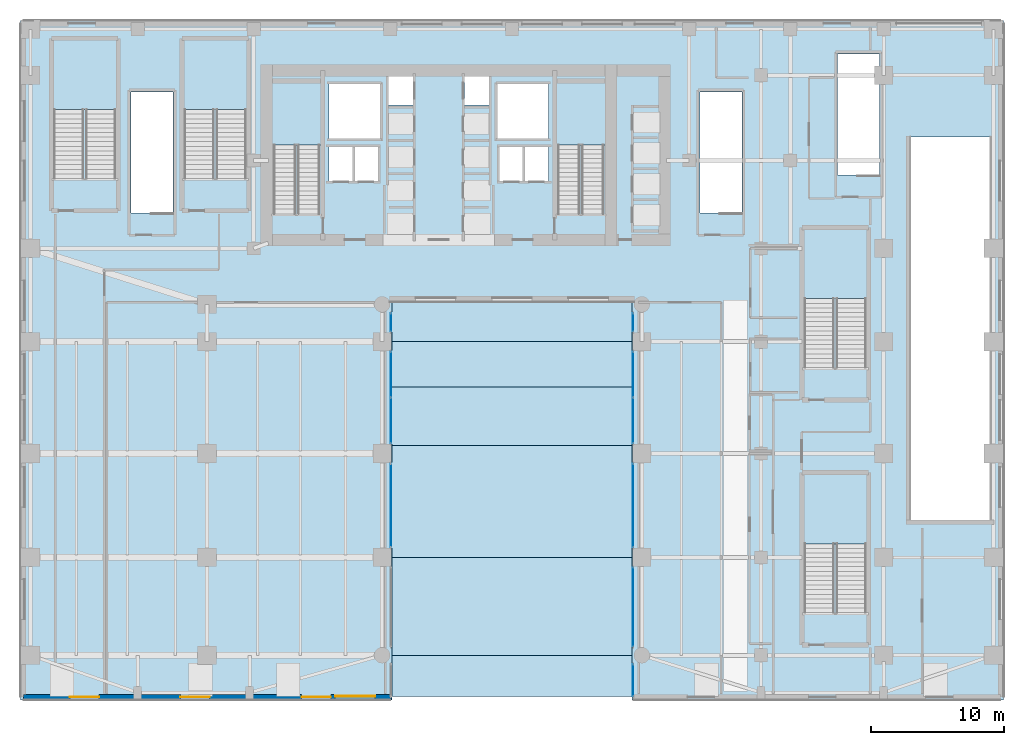
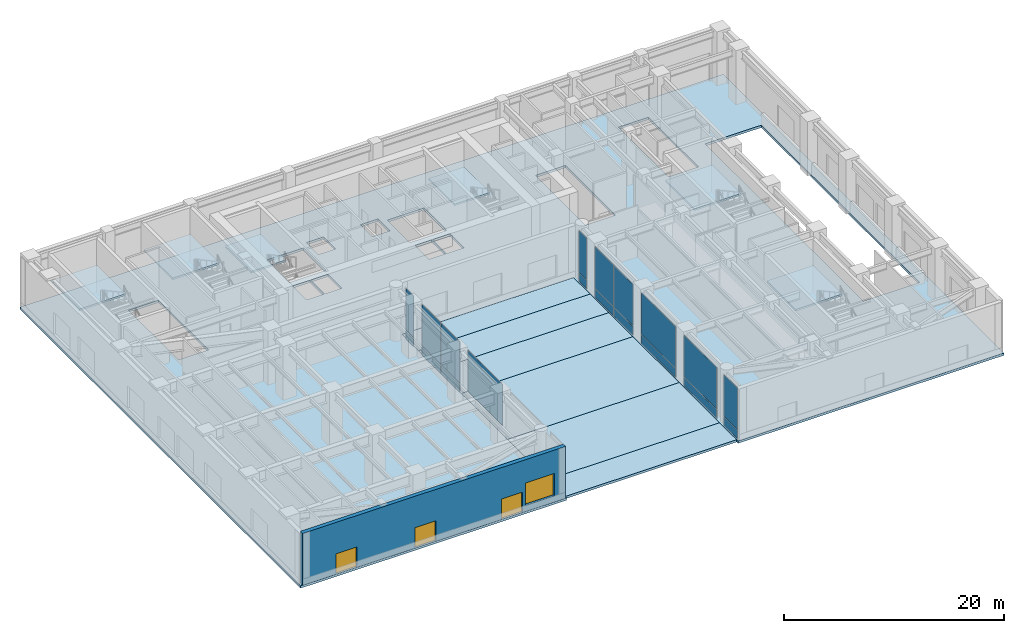
# One storey, part 12 of 28: 19 plates, 13 slabs, 3 doors, 1 wall, 1 window, 4 openings, 14 elements without a shape of their own.
"""IFC4 building model written with IfcOpenShell, lengths in metres."""

from ifc_helpers import new_model, si_unit, direction, frame, frame_2d, origin, origin_2d, place, context, subcontext, project, spatial, polyline, rectangle, outline, extrude, source, transform, mapped, material, layer, layer_set, type_object, type_shapes, element, fill, aggregate, save


model = new_model("IFC4")

# Units and contexts
model_context = context("Model", 3, precision=1e-05, world=origin(), true_north=direction((0.0, 1.0)))
body_context = subcontext(model_context, "Body", "Model", "MODEL_VIEW")
ifc_project = project(units=[si_unit("LENGTHUNIT", "METRE"), si_unit("AREAUNIT", "SQUARE_METRE"), si_unit("VOLUMEUNIT", "CUBIC_METRE"), si_unit("PLANEANGLEUNIT", "RADIAN"), si_unit("MASSUNIT", "GRAM", prefix="KILO")], contexts=[model_context])

# Site, building, storey
site_placement = place(None, origin())
site = spatial("IfcSite", under=ifc_project, at=site_placement, CompositionType="ELEMENT")
building_placement = place(site_placement, origin())
building = spatial("IfcBuilding", under=site, at=building_placement, Name="Tolvann Quenvar Hotel", CompositionType="ELEMENT")
storey_placement = place(building_placement, origin())
storey = spatial("IfcBuildingStorey", under=building, at=storey_placement, Name="L00", CompositionType="ELEMENT", Elevation=0.0)

# Stair, slab
ifc_material_1 = material(Name="Concrete N40 (40 MPa)", Category="concrete")
stair_type = type_object("IfcStairType", Name="STAIR", PredefinedType="HALF_TURN_STAIR", material=ifc_material_1)
stair_1_placement = place(storey_placement, origin())
stair_1 = element("IfcStair", 1, at=stair_1_placement, inside=storey, type_object=stair_type, Name="L00 ST-C1", PredefinedType="HALF_TURN_STAIR")
ifc_layer_1 = layer(ifc_material_1, 0.199951171875)
ifc_layer_set_1 = layer_set([ifc_layer_1], Name="Concrete N40 (40 MPa)")
slab_type_1 = type_object("IfcSlabType", Name="SLAB_LANDING", PredefinedType="LANDING", material=ifc_layer_set_1)
slab_1_placement = place(storey_placement, frame((0.0, 0.0, 2.800048828125)))
slab_1 = element("IfcSlab", 2, at=slab_1_placement, type_object=slab_type_1, Name="ST-C1 landing 1", PredefinedType="LANDING", context=body_context, shape_type="SweptSolid", body=[
    extrude(outline(polyline([(14.179931640625, 39.175048828125), (14.179931640625, 43.8798828125), (10.469970703125, 43.8798828125), (10.469970703125, 39.175048828125), (14.179931640625, 39.175048828125)])), origin(), (0.0, 0.0, 1.0), 0.199951171875),
])
aggregate(stair_1, [slab_1])

stair_2_placement = place(storey_placement, origin())
stair_2 = element("IfcStair", 3, at=stair_2_placement, inside=storey, type_object=stair_type, Name="L00 ST-C2", PredefinedType="HALF_TURN_STAIR")
slab_2_placement = place(storey_placement, frame((0.0, 0.0, 2.800048828125)))
slab_2 = element("IfcSlab", 4, at=slab_2_placement, type_object=slab_type_1, Name="ST-C2 landing 1", PredefinedType="LANDING", context=body_context, shape_type="SweptSolid", body=[
    extrude(outline(polyline([(35.530029296875, 39.175048828125), (35.530029296875, 43.8798828125), (31.820068359375, 43.8798828125), (31.820068359375, 39.175048828125), (35.530029296875, 39.175048828125)])), origin(), (0.0, 0.0, 1.0), 0.199951171875),
])
aggregate(stair_2, [slab_2])

stair_3_placement = place(storey_placement, origin())
stair_3 = element("IfcStair", 5, at=stair_3_placement, inside=storey, type_object=stair_type, Name="L00 ST-P1", PredefinedType="HALF_TURN_STAIR")
slab_3_placement = place(storey_placement, frame((0.0, 0.0, 2.800048828125)))
slab_3 = element("IfcSlab", 6, at=slab_3_placement, type_object=slab_type_1, Name="ST-P1 landing 1", PredefinedType="LANDING", context=body_context, shape_type="SweptSolid", body=[
    extrude(outline(polyline([(-1.1201171875, 41.824951171875), (-1.1201171875, 47.080078125), (-6.030029296875, 47.080078125), (-6.030029296875, 41.824951171875), (-1.1201171875, 41.824951171875)])), origin(), (0.0, 0.0, 1.0), 0.199951171875),
])
aggregate(stair_3, [slab_3])

stair_4_placement = place(storey_placement, origin())
stair_4 = element("IfcStair", 7, at=stair_4_placement, inside=storey, type_object=stair_type, Name="L00 ST-P2", PredefinedType="HALF_TURN_STAIR")
slab_4_placement = place(storey_placement, frame((0.0, 0.0, 2.800048828125)))
slab_4 = element("IfcSlab", 8, at=slab_4_placement, type_object=slab_type_1, Name="ST-P2 landing 1", PredefinedType="LANDING", context=body_context, shape_type="SweptSolid", body=[
    extrude(outline(polyline([(8.679931640625, 41.824951171875), (8.679931640625, 47.080078125), (3.77001953125, 47.080078125), (3.77001953125, 41.824951171875), (8.679931640625, 41.824951171875)])), origin(), (0.0, 0.0, 1.0), 0.199951171875),
])
aggregate(stair_4, [slab_4])

stair_5_placement = place(storey_placement, origin())
stair_5 = element("IfcStair", 9, at=stair_5_placement, inside=storey, type_object=stair_type, Name="L00 ST-P3", PredefinedType="HALF_TURN_STAIR")
slab_5_placement = place(storey_placement, frame((0.0, 0.0, 2.800048828125)))
slab_5 = element("IfcSlab", 10, at=slab_5_placement, type_object=slab_type_1, Name="ST-P3 landing 1", PredefinedType="LANDING", context=body_context, shape_type="SweptSolid", body=[
    extrude(outline(polyline([(55.22998046875, 9.22509765625), (55.22998046875, 14.47998046875), (50.320068359375, 14.47998046875), (50.320068359375, 9.22509765625), (55.22998046875, 9.22509765625)])), origin(), (0.0, 0.0, 1.0), 0.199951171875),
])
aggregate(stair_5, [slab_5])

stair_6_placement = place(storey_placement, origin())
stair_6 = element("IfcStair", 11, at=stair_6_placement, inside=storey, type_object=stair_type, Name="L00 ST-P4", PredefinedType="HALF_TURN_STAIR")
slab_6_placement = place(storey_placement, frame((0.0, 0.0, 2.800048828125)))
slab_6 = element("IfcSlab", 12, at=slab_6_placement, type_object=slab_type_1, Name="ST-P4 landing 1", PredefinedType="LANDING", context=body_context, shape_type="SweptSolid", body=[
    extrude(outline(polyline([(55.22998046875, 27.625), (55.22998046875, 32.8798828125), (50.320068359375, 32.8798828125), (50.320068359375, 27.625), (55.22998046875, 27.625)])), origin(), (0.0, 0.0, 1.0), 0.199951171875),
])
aggregate(stair_6, [slab_6])

# Slabs
ifc_material_2 = material(Name="Exfoliated bluestone granite plaza paving Concrete N40 (40 MPa)", Category="masonry")
ifc_layer_2 = layer(ifc_material_2, 0.260009765625)
ifc_layer_set_2 = layer_set([ifc_layer_2], Name="Exfoliated bluestone granite plaza paving Concrete N40 (40 MPa)")
slab_type_2 = type_object("IfcSlabType", Name="SLAB_PAVE_150", PredefinedType="USERDEFINED", material=ifc_layer_set_2)
slab_7_placement = place(storey_placement, frame((0.0, 0.0, -0.260009765625)))
element("IfcSlab", 13, at=slab_7_placement, inside=storey, type_object=slab_type_2, Name="Public Parabolic Arch Concourse Paving Bay 1", ObjectType="PAVING", PredefinedType="USERDEFINED", context=body_context, shape_type="SweptSolid", body=[
    extrude(outline(polyline([(19.5, -2.25), (37.5, -2.25), (37.5, 0.85009765625), (19.5, 0.85009765625), (19.5, -2.25)])), origin(), (0.0, 0.0, 1.0), 0.260009765625),
])
slab_8_placement = place(storey_placement, frame((0.0, 0.0, -0.260009765625)))
element("IfcSlab", 14, at=slab_8_placement, inside=storey, type_object=slab_type_2, Name="Public Parabolic Arch Concourse Paving Bay 2", ObjectType="PAVING", PredefinedType="USERDEFINED", context=body_context, shape_type="SweptSolid", body=[
    extrude(outline(polyline([(19.5, 0.85009765625), (37.5, 0.85009765625), (37.5, 8.199951171875), (19.5, 8.199951171875), (19.5, 0.85009765625)])), origin(), (0.0, 0.0, 1.0), 0.260009765625),
])
slab_9_placement = place(storey_placement, frame((0.0, 0.0, -0.260009765625)))
element("IfcSlab", 15, at=slab_9_placement, inside=storey, type_object=slab_type_2, Name="Public Parabolic Arch Concourse Paving Bay 3", ObjectType="PAVING", PredefinedType="USERDEFINED", context=body_context, shape_type="SweptSolid", body=[
    extrude(outline(polyline([(19.5, 8.199951171875), (37.5, 8.199951171875), (37.5, 16.60009765625), (19.5, 16.60009765625), (19.5, 8.199951171875)])), origin(), (0.0, 0.0, 1.0), 0.260009765625),
])
slab_10_placement = place(storey_placement, frame((0.0, 0.0, -0.260009765625)))
element("IfcSlab", 16, at=slab_10_placement, inside=storey, type_object=slab_type_2, Name="Public Parabolic Arch Concourse Paving Bay 4", ObjectType="PAVING", PredefinedType="USERDEFINED", context=body_context, shape_type="SweptSolid", body=[
    extrude(outline(polyline([(19.5, 16.60009765625), (37.5, 16.60009765625), (37.5, 21.0), (19.5, 21.0), (19.5, 16.60009765625)])), origin(), (0.0, 0.0, 1.0), 0.260009765625),
])
slab_11_placement = place(storey_placement, frame((0.0, 0.0, -0.260009765625)))
element("IfcSlab", 17, at=slab_11_placement, inside=storey, type_object=slab_type_2, Name="Public Parabolic Arch Concourse Paving Bay 5", ObjectType="PAVING", PredefinedType="USERDEFINED", context=body_context, shape_type="SweptSolid", body=[
    extrude(outline(polyline([(19.5, 21.0), (37.5, 21.0), (37.5, 24.39990234375), (19.5, 24.39990234375), (19.5, 21.0)])), origin(), (0.0, 0.0, 1.0), 0.260009765625),
])
slab_12_placement = place(storey_placement, frame((0.0, 0.0, -0.260009765625)))
element("IfcSlab", 18, at=slab_12_placement, inside=storey, type_object=slab_type_2, Name="Public Parabolic Arch Concourse Paving Bay 6", ObjectType="PAVING", PredefinedType="USERDEFINED", context=body_context, shape_type="SweptSolid", body=[
    extrude(outline(polyline([(19.5, 24.39990234375), (37.5, 24.39990234375), (37.5, 27.39990234375), (19.5, 27.39990234375), (19.5, 24.39990234375)])), origin(), (0.0, 0.0, 1.0), 0.260009765625),
])
ifc_material_3 = material(Name="Concrete N50 (50 MPa)", Category="concrete")
ifc_layer_3 = layer(ifc_material_3, 0.260009765625)
ifc_layer_set_3 = layer_set([ifc_layer_3], Name="Concrete N50 (50 MPa)")
slab_type_3 = type_object("IfcSlabType", Name="SLAB_POD_250", PredefinedType="FLOOR", material=ifc_layer_set_3)
slab_13_placement = place(storey_placement, frame((0.0, 0.0, -0.260009765625)))
element("IfcSlab", 19, at=slab_13_placement, inside=storey, type_object=slab_type_3, Name="Level L00 Structural Floor Slab", PredefinedType="FLOOR", context=body_context, shape_type="SweptSolid", body=[
    extrude(outline(polyline([(-8.39990234375, -2.5), (19.5, -2.5), (19.5, 27.39990234375), (37.5, 27.39990234375), (37.5, -2.5), (65.39990234375, -2.5), (65.39990234375, 48.5), (-8.39990234375, 48.5), (-8.39990234375, -2.5)]), holes=[polyline([(58.449951171875, 11.02490234375), (58.449951171875, 39.77490234375), (64.35009765625, 39.77490234375), (64.35009765625, 11.02490234375), (58.449951171875, 11.02490234375)]), polyline([(52.949951171875, 36.925048828125), (52.949951171875, 46.0), (56.10009765625, 46.0), (56.10009765625, 36.925048828125), (52.949951171875, 36.925048828125)]), polyline([(45.75, 34.074951171875), (42.60009765625, 34.074951171875), (42.60009765625, 43.14990234375), (45.75, 43.14990234375), (45.75, 34.074951171875)]), polyline([(27.39990234375, 43.75), (31.25, 43.75), (31.25, 39.64990234375), (27.39990234375, 39.64990234375), (27.39990234375, 43.75)]), polyline([(29.449951171875, 39.02001953125), (31.25, 39.02001953125), (31.25, 36.47998046875), (29.449951171875, 36.47998046875), (29.449951171875, 39.02001953125)]), polyline([(27.574951171875, 39.02001953125), (29.324951171875, 39.02001953125), (29.324951171875, 36.47998046875), (27.574951171875, 36.47998046875), (27.574951171875, 39.02001953125)]), polyline([(24.929931640625, 44.340087890625), (26.77001953125, 44.340087890625), (26.77001953125, 42.159912109375), (24.929931640625, 42.159912109375), (24.929931640625, 44.340087890625)]), polyline([(19.22998046875, 44.340087890625), (21.070068359375, 44.340087890625), (21.070068359375, 42.159912109375), (19.22998046875, 42.159912109375), (19.22998046875, 44.340087890625)]), polyline([(14.75, 39.64990234375), (14.75, 43.75), (18.60009765625, 43.75), (18.60009765625, 39.64990234375), (14.75, 39.64990234375)]), polyline([(16.675048828125, 39.02001953125), (18.425048828125, 39.02001953125), (18.425048828125, 36.47998046875), (16.675048828125, 36.47998046875), (16.675048828125, 39.02001953125)]), polyline([(14.75, 36.47998046875), (14.75, 39.02001953125), (16.550048828125, 39.02001953125), (16.550048828125, 36.47998046875), (14.75, 36.47998046875)]), polyline([(-0.10009765625, 34.074951171875), (-0.10009765625, 43.14990234375), (3.050048828125, 43.14990234375), (3.050048828125, 34.074951171875), (-0.10009765625, 34.074951171875)])]), origin(), (0.0, 0.0, 1.0), 0.260009765625),
])

# Curtain wall, plates
ifc_material_4 = material(Name="Thermally broken anodised architectural aluminium 6063-T6 and laminated low-E glass", Category="aluminium")
ifc_layer_4 = layer(ifc_material_4, 0.179931640625)
ifc_layer_set_4 = layer_set([ifc_layer_4], Name="Thermally broken anodised architectural aluminium 6063-T6 and laminated low-E glass")
curtain_wall_type = type_object("IfcCurtainWallType", Name="CW_SYS_ARCH_01", PredefinedType="USERDEFINED", material=ifc_layer_set_4)
curtain_wall_1_placement = place(storey_placement, origin())
curtain_wall_1 = element("IfcCurtainWall", 20, at=curtain_wall_1_placement, inside=storey, type_object=curtain_wall_type, Name="Curtain Wall CW-ARCH-01 (CWR-L00-E03-S5)", ObjectType="UNITISED CURTAIN WALL", PredefinedType="USERDEFINED")
ifc_material_5 = material(Name="Low-iron laminated double glazing with solar-control coating", Category="glass")
ifc_layer_5 = layer(ifc_material_5, 0.028076171875)
ifc_layer_set_5 = layer_set([ifc_layer_5], Name="Low-iron laminated double glazing with solar-control coating")
plate_type = type_object("IfcPlateType", Name="CW_PAN_VISION_28", PredefinedType="CURTAIN_PANEL", material=ifc_layer_set_5)
shared_shape_1 = source(origin(), body_context, "Body", "SweptSolid", [
    extrude(rectangle(XDim=2.39599609375, YDim=0.028076171875, at=origin_2d()), origin(), (0.0, 0.0, 1.0), 0.9599609375),
])
plate_1_placement = place(storey_placement, frame((37.590087890625, -1.02197265625, 0.06005859375), z_axis=(0.0, 0.0, 1.0), x_axis=(0.0, -1.0, 0.0)))
plate_1 = element("IfcPlate", 21, at=plate_1_placement, type_object=plate_type, Name="CW-ARCH-01 panel 1.1", PredefinedType="CURTAIN_PANEL", context=body_context, shape_type="MappedRepresentation", body=[
    mapped(shared_shape_1, transform((0.0, 0.0, 0.0), x_axis=(1.0, 0.0, 0.0), y_axis=(0.0, 1.0, 0.0), z_axis=(0.0, 0.0, 1.0), scale=1.0)),
])
shared_shape_2 = source(origin(), body_context, "Body", "SweptSolid", [
    extrude(rectangle(XDim=2.39599609375, YDim=0.028076171875, at=origin_2d()), origin(), (0.0, 0.0, 1.0), 4.60009765625),
])
plate_2_placement = place(storey_placement, frame((37.590087890625, -1.02197265625, 1.079833984375), z_axis=(0.0, 0.0, 1.0), x_axis=(0.0, -1.0, 0.0)))
plate_2 = element("IfcPlate", 22, at=plate_2_placement, type_object=plate_type, Name="CW-ARCH-01 panel 1.2", PredefinedType="CURTAIN_PANEL", context=body_context, shape_type="MappedRepresentation", body=[
    mapped(shared_shape_2, transform((0.0, 0.0, 0.0), x_axis=(1.0, 0.0, 0.0), y_axis=(0.0, 1.0, 0.0), z_axis=(0.0, 0.0, 1.0), scale=1.0)),
])
aggregate(curtain_wall_1, [plate_1, plate_2])

curtain_wall_2_placement = place(storey_placement, origin())
curtain_wall_2 = element("IfcCurtainWall", 23, at=curtain_wall_2_placement, inside=storey, type_object=curtain_wall_type, Name="Curtain Wall CW-ARCH-01 (CWR-L00-E03-S4)", ObjectType="UNITISED CURTAIN WALL", PredefinedType="USERDEFINED")
shared_shape_3 = source(origin(), body_context, "Body", "SweptSolid", [
    extrude(rectangle(XDim=5.902099609375, YDim=0.028076171875, at=origin_2d()), origin(), (0.0, 0.0, 1.0), 0.9599609375),
])
plate_3_placement = place(storey_placement, frame((37.590087890625, 4.47509765625, 0.06005859375), z_axis=(0.0, 0.0, 1.0), x_axis=(0.0, -1.0, 0.0)))
plate_3 = element("IfcPlate", 24, at=plate_3_placement, type_object=plate_type, Name="CW-ARCH-01 panel 1.1", PredefinedType="CURTAIN_PANEL", context=body_context, shape_type="MappedRepresentation", body=[
    mapped(shared_shape_3, transform((0.0, 0.0, 0.0), x_axis=(1.0, 0.0, 0.0), y_axis=(0.0, 1.0, 0.0), z_axis=(0.0, 0.0, 1.0), scale=1.0)),
])
shared_shape_4 = source(origin(), body_context, "Body", "SweptSolid", [
    extrude(rectangle(XDim=5.902099609375, YDim=0.028076171875, at=origin_2d()), origin(), (0.0, 0.0, 1.0), 4.60009765625),
])
plate_4_placement = place(storey_placement, frame((37.590087890625, 4.47509765625, 1.079833984375), z_axis=(0.0, 0.0, 1.0), x_axis=(0.0, -1.0, 0.0)))
plate_4 = element("IfcPlate", 25, at=plate_4_placement, type_object=plate_type, Name="CW-ARCH-01 panel 1.2", PredefinedType="CURTAIN_PANEL", context=body_context, shape_type="MappedRepresentation", body=[
    mapped(shared_shape_4, transform((0.0, 0.0, 0.0), x_axis=(1.0, 0.0, 0.0), y_axis=(0.0, 1.0, 0.0), z_axis=(0.0, 0.0, 1.0), scale=1.0)),
])
aggregate(curtain_wall_2, [plate_3, plate_4])

# Curtain wall, plate
curtain_wall_3_placement = place(storey_placement, origin())
curtain_wall_3 = element("IfcCurtainWall", 26, at=curtain_wall_3_placement, inside=storey, type_object=curtain_wall_type, Name="Curtain Wall CW-ARCH-01 (CWR-L00-E03-S3)", ObjectType="UNITISED CURTAIN WALL", PredefinedType="USERDEFINED")
shared_shape_5 = source(origin(), body_context, "Body", "SweptSolid", [
    extrude(rectangle(XDim=6.251953125, YDim=0.028076171875, at=origin_2d()), origin(), (0.0, 0.0, 1.0), 0.9599609375),
])
plate_5_placement = place(storey_placement, frame((37.590087890625, 12.10009765625, 0.06005859375), z_axis=(0.0, 0.0, 1.0), x_axis=(0.0, -1.0, 0.0)))
plate_5 = element("IfcPlate", 27, at=plate_5_placement, type_object=plate_type, Name="CW-ARCH-01 panel 1.1", PredefinedType="CURTAIN_PANEL", context=body_context, shape_type="MappedRepresentation", body=[
    mapped(shared_shape_5, transform((0.0, 0.0, 0.0), x_axis=(1.0, 0.0, 0.0), y_axis=(0.0, 1.0, 0.0), z_axis=(0.0, 0.0, 1.0), scale=1.0)),
])

curtain_wall_4_placement = place(storey_placement, origin())
curtain_wall_4 = element("IfcCurtainWall", 28, at=curtain_wall_4_placement, inside=storey, type_object=curtain_wall_type, Name="Curtain Wall CW-ARCH-01 (CWR-L00-E01-S3)", ObjectType="UNITISED CURTAIN WALL", PredefinedType="USERDEFINED")
shared_shape_6 = source(origin(), body_context, "Body", "SweptSolid", [
    extrude(rectangle(XDim=6.251953125, YDim=0.028076171875, at=origin_2d()), origin(), (0.0, 0.0, 1.0), 4.60009765625),
])
plate_6_placement = place(storey_placement, frame((19.409912109375, 12.10009765625, 1.079833984375), z_axis=(0.0, 0.0, 1.0), x_axis=(0.0, 1.0, 0.0)))
plate_6 = element("IfcPlate", 29, at=plate_6_placement, type_object=plate_type, Name="CW-ARCH-01 panel 1.2", PredefinedType="CURTAIN_PANEL", context=body_context, shape_type="MappedRepresentation", body=[
    mapped(shared_shape_6, transform((0.0, 0.0, 0.0), x_axis=(1.0, 0.0, 0.0), y_axis=(0.0, 1.0, 0.0), z_axis=(0.0, 0.0, 1.0), scale=1.0)),
])
aggregate(curtain_wall_4, [plate_6])

# Plate
plate_7_placement = place(storey_placement, frame((37.590087890625, 12.10009765625, 1.079833984375), z_axis=(0.0, 0.0, 1.0), x_axis=(0.0, -1.0, 0.0)))
plate_7 = element("IfcPlate", 30, at=plate_7_placement, type_object=plate_type, Name="CW-ARCH-01 panel 1.2", PredefinedType="CURTAIN_PANEL", context=body_context, shape_type="MappedRepresentation", body=[
    mapped(shared_shape_6, transform((0.0, 0.0, 0.0), x_axis=(1.0, 0.0, 0.0), y_axis=(0.0, 1.0, 0.0), z_axis=(0.0, 0.0, 1.0), scale=1.0)),
])

aggregate(curtain_wall_3, [plate_5, plate_7])

# Curtain wall, plates
curtain_wall_5_placement = place(storey_placement, origin())
curtain_wall_5 = element("IfcCurtainWall", 31, at=curtain_wall_5_placement, inside=storey, type_object=curtain_wall_type, Name="Curtain Wall CW-ARCH-01 (CWR-L00-E01-S4)", ObjectType="UNITISED CURTAIN WALL", PredefinedType="USERDEFINED")
shared_shape_7 = source(origin(), body_context, "Body", "SweptSolid", [
    extrude(rectangle(XDim=3.39111328125, YDim=0.028076171875, at=origin_2d()), origin(), (0.0, 0.0, 1.0), 0.9599609375),
])
plate_8_placement = place(storey_placement, frame((19.409912109375, 18.469482421875, 0.06005859375), z_axis=(0.0, 0.0, 1.0), x_axis=(0.0, 1.0, 0.0)))
plate_8 = element("IfcPlate", 32, at=plate_8_placement, type_object=plate_type, Name="CW-ARCH-01 panel 1.1", PredefinedType="CURTAIN_PANEL", context=body_context, shape_type="MappedRepresentation", body=[
    mapped(shared_shape_7, transform((0.0, 0.0, 0.0), x_axis=(1.0, 0.0, 0.0), y_axis=(0.0, 1.0, 0.0), z_axis=(0.0, 0.0, 1.0), scale=1.0)),
])
plate_9_placement = place(storey_placement, frame((19.409912109375, 21.930419921875, 0.06005859375), z_axis=(0.0, 0.0, 1.0), x_axis=(0.0, 1.0, 0.0)))
plate_9 = element("IfcPlate", 33, at=plate_9_placement, type_object=plate_type, Name="CW-ARCH-01 panel 2.1", PredefinedType="CURTAIN_PANEL", context=body_context, shape_type="MappedRepresentation", body=[
    mapped(shared_shape_7, transform((0.0, 0.0, 0.0), x_axis=(1.0, 0.0, 0.0), y_axis=(0.0, 1.0, 0.0), z_axis=(0.0, 0.0, 1.0), scale=1.0)),
])

curtain_wall_6_placement = place(storey_placement, origin())
curtain_wall_6 = element("IfcCurtainWall", 34, at=curtain_wall_6_placement, inside=storey, type_object=curtain_wall_type, Name="Curtain Wall CW-ARCH-01 (CWR-L00-E03-S2)", ObjectType="UNITISED CURTAIN WALL", PredefinedType="USERDEFINED")
plate_10_placement = place(storey_placement, frame((37.590087890625, 21.930419921875, 0.06005859375), z_axis=(0.0, 0.0, 1.0), x_axis=(0.0, -1.0, 0.0)))
plate_10 = element("IfcPlate", 35, at=plate_10_placement, type_object=plate_type, Name="CW-ARCH-01 panel 1.1", PredefinedType="CURTAIN_PANEL", context=body_context, shape_type="MappedRepresentation", body=[
    mapped(shared_shape_7, transform((0.0, 0.0, 0.0), x_axis=(1.0, 0.0, 0.0), y_axis=(0.0, 1.0, 0.0), z_axis=(0.0, 0.0, 1.0), scale=1.0)),
])
plate_11_placement = place(storey_placement, frame((37.590087890625, 18.469482421875, 0.06005859375), z_axis=(0.0, 0.0, 1.0), x_axis=(0.0, -1.0, 0.0)))
plate_11 = element("IfcPlate", 36, at=plate_11_placement, type_object=plate_type, Name="CW-ARCH-01 panel 2.1", PredefinedType="CURTAIN_PANEL", context=body_context, shape_type="MappedRepresentation", body=[
    mapped(shared_shape_7, transform((0.0, 0.0, 0.0), x_axis=(1.0, 0.0, 0.0), y_axis=(0.0, 1.0, 0.0), z_axis=(0.0, 0.0, 1.0), scale=1.0)),
])

# Plate
shared_shape_8 = source(origin(), body_context, "Body", "SweptSolid", [
    extrude(rectangle(XDim=3.39111328125, YDim=0.028076171875, at=origin_2d()), origin(), (0.0, 0.0, 1.0), 4.60009765625),
])
plate_12_placement = place(storey_placement, frame((19.409912109375, 18.469482421875, 1.079833984375), z_axis=(0.0, 0.0, 1.0), x_axis=(0.0, 1.0, 0.0)))
plate_12 = element("IfcPlate", 37, at=plate_12_placement, type_object=plate_type, Name="CW-ARCH-01 panel 1.2", PredefinedType="CURTAIN_PANEL", context=body_context, shape_type="MappedRepresentation", body=[
    mapped(shared_shape_8, transform((0.0, 0.0, 0.0), x_axis=(1.0, 0.0, 0.0), y_axis=(0.0, 1.0, 0.0), z_axis=(0.0, 0.0, 1.0), scale=1.0)),
])

plate_13_placement = place(storey_placement, frame((19.409912109375, 21.930419921875, 1.079833984375), z_axis=(0.0, 0.0, 1.0), x_axis=(0.0, 1.0, 0.0)))
plate_13 = element("IfcPlate", 38, at=plate_13_placement, type_object=plate_type, Name="CW-ARCH-01 panel 2.2", PredefinedType="CURTAIN_PANEL", context=body_context, shape_type="MappedRepresentation", body=[
    mapped(shared_shape_8, transform((0.0, 0.0, 0.0), x_axis=(1.0, 0.0, 0.0), y_axis=(0.0, 1.0, 0.0), z_axis=(0.0, 0.0, 1.0), scale=1.0)),
])

aggregate(curtain_wall_5, [plate_8, plate_12, plate_9, plate_13])

plate_14_placement = place(storey_placement, frame((37.590087890625, 21.930419921875, 1.079833984375), z_axis=(0.0, 0.0, 1.0), x_axis=(0.0, -1.0, 0.0)))
plate_14 = element("IfcPlate", 39, at=plate_14_placement, type_object=plate_type, Name="CW-ARCH-01 panel 1.2", PredefinedType="CURTAIN_PANEL", context=body_context, shape_type="MappedRepresentation", body=[
    mapped(shared_shape_8, transform((0.0, 0.0, 0.0), x_axis=(1.0, 0.0, 0.0), y_axis=(0.0, 1.0, 0.0), z_axis=(0.0, 0.0, 1.0), scale=1.0)),
])

plate_15_placement = place(storey_placement, frame((37.590087890625, 18.469482421875, 1.079833984375), z_axis=(0.0, 0.0, 1.0), x_axis=(0.0, -1.0, 0.0)))
plate_15 = element("IfcPlate", 40, at=plate_15_placement, type_object=plate_type, Name="CW-ARCH-01 panel 2.2", PredefinedType="CURTAIN_PANEL", context=body_context, shape_type="MappedRepresentation", body=[
    mapped(shared_shape_8, transform((0.0, 0.0, 0.0), x_axis=(1.0, 0.0, 0.0), y_axis=(0.0, 1.0, 0.0), z_axis=(0.0, 0.0, 1.0), scale=1.0)),
])

aggregate(curtain_wall_6, [plate_10, plate_14, plate_11, plate_15])

# Curtain wall, plate
curtain_wall_7_placement = place(storey_placement, origin())
curtain_wall_7 = element("IfcCurtainWall", 41, at=curtain_wall_7_placement, inside=storey, type_object=curtain_wall_type, Name="Curtain Wall CW-ARCH-01 (CWR-L00-E01-S5)", ObjectType="UNITISED CURTAIN WALL", PredefinedType="USERDEFINED")
shared_shape_9 = source(origin(), body_context, "Body", "SweptSolid", [
    extrude(rectangle(XDim=1.35205078125, YDim=0.028076171875, at=origin_2d()), origin(), (0.0, 0.0, 1.0), 0.9599609375),
])
plate_16_placement = place(storey_placement, frame((19.409912109375, 25.85009765625, 0.06005859375), z_axis=(0.0, 0.0, 1.0), x_axis=(0.0, 1.0, 0.0)))
plate_16 = element("IfcPlate", 42, at=plate_16_placement, type_object=plate_type, Name="CW-ARCH-01 panel 1.1", PredefinedType="CURTAIN_PANEL", context=body_context, shape_type="MappedRepresentation", body=[
    mapped(shared_shape_9, transform((0.0, 0.0, 0.0), x_axis=(1.0, 0.0, 0.0), y_axis=(0.0, 1.0, 0.0), z_axis=(0.0, 0.0, 1.0), scale=1.0)),
])

curtain_wall_8_placement = place(storey_placement, origin())
curtain_wall_8 = element("IfcCurtainWall", 43, at=curtain_wall_8_placement, inside=storey, type_object=curtain_wall_type, Name="Curtain Wall CW-ARCH-01 (CWR-L00-E03-S1)", ObjectType="UNITISED CURTAIN WALL", PredefinedType="USERDEFINED")
plate_17_placement = place(storey_placement, frame((37.590087890625, 25.85009765625, 0.06005859375), z_axis=(0.0, 0.0, 1.0), x_axis=(0.0, -1.0, 0.0)))
plate_17 = element("IfcPlate", 44, at=plate_17_placement, type_object=plate_type, Name="CW-ARCH-01 panel 1.1", PredefinedType="CURTAIN_PANEL", context=body_context, shape_type="MappedRepresentation", body=[
    mapped(shared_shape_9, transform((0.0, 0.0, 0.0), x_axis=(1.0, 0.0, 0.0), y_axis=(0.0, 1.0, 0.0), z_axis=(0.0, 0.0, 1.0), scale=1.0)),
])

# Plate
shared_shape_10 = source(origin(), body_context, "Body", "SweptSolid", [
    extrude(rectangle(XDim=1.35205078125, YDim=0.028076171875, at=origin_2d()), origin(), (0.0, 0.0, 1.0), 4.60009765625),
])
type_shapes(plate_type, [shared_shape_1, shared_shape_2, shared_shape_3, shared_shape_4, shared_shape_5, shared_shape_6, shared_shape_7, shared_shape_8, shared_shape_9, shared_shape_10])
plate_18_placement = place(storey_placement, frame((19.409912109375, 25.85009765625, 1.079833984375), z_axis=(0.0, 0.0, 1.0), x_axis=(0.0, 1.0, 0.0)))
plate_18 = element("IfcPlate", 45, at=plate_18_placement, type_object=plate_type, Name="CW-ARCH-01 panel 1.2", PredefinedType="CURTAIN_PANEL", context=body_context, shape_type="MappedRepresentation", body=[
    mapped(shared_shape_10, transform((0.0, 0.0, 0.0), x_axis=(1.0, 0.0, 0.0), y_axis=(0.0, 1.0, 0.0), z_axis=(0.0, 0.0, 1.0), scale=1.0)),
])

aggregate(curtain_wall_7, [plate_16, plate_18])

plate_19_placement = place(storey_placement, frame((37.590087890625, 25.85009765625, 1.079833984375), z_axis=(0.0, 0.0, 1.0), x_axis=(0.0, -1.0, 0.0)))
plate_19 = element("IfcPlate", 46, at=plate_19_placement, type_object=plate_type, Name="CW-ARCH-01 panel 1.2", PredefinedType="CURTAIN_PANEL", context=body_context, shape_type="MappedRepresentation", body=[
    mapped(shared_shape_10, transform((0.0, 0.0, 0.0), x_axis=(1.0, 0.0, 0.0), y_axis=(0.0, 1.0, 0.0), z_axis=(0.0, 0.0, 1.0), scale=1.0)),
])

aggregate(curtain_wall_8, [plate_17, plate_19])

# Wall, openings, window, doors
ifc_material_6 = material(Name="Kiln-fired red and buff architectural clay brickwork and terracotta masonry", Category="masonry")
ifc_layer_6 = layer(ifc_material_6, 0.419921875)
ifc_layer_set_6 = layer_set([ifc_layer_6], Name="Kiln-fired red and buff architectural clay brickwork and terracotta masonry")
wall_type = type_object("IfcWallType", Name="WALL_EXT_POD_420", PredefinedType="SOLIDWALL", material=ifc_layer_set_6)
wall_placement = place(storey_placement, frame((-8.18994140625, -2.2900390625, 0.0), z_axis=(0.0, 0.0, 1.0), x_axis=(1.0, 0.0, 0.0)))
wall = element("IfcWall", 47, at=wall_placement, inside=storey, type_object=wall_type, Name="Exterior Chicago Brick Wall L00-E08", PredefinedType="SOLIDWALL", context=body_context, shape_type="SweptSolid", body=[
    extrude(rectangle(XDim=27.599853515625, YDim=0.419921875, at=frame_2d((13.7998046875, 0.0))), origin(), (0.0, 0.0, 1.0), 5.739990234375),
])
opening_1_placement = place(wall_placement, frame((5.68994140625, 0.0, 0.0), z_axis=(0.0, 0.0, 1.0), x_axis=(-1.0, 0.0, 0.0)))
opening_1 = element("IfcOpeningElement", 48, at=opening_1_placement, cuts=wall, Name="Opening EX-D2", PredefinedType="OPENING", context=body_context, shape_type="SweptSolid", body=[
    extrude(rectangle(XDim=2.199951171875, YDim=2.25, at=frame_2d((1.10009765625, 1.125))), frame((0.0, 0.219970703125, 0.0), z_axis=(0.0, -1.0, 0.0), x_axis=(1.0, 0.0, 0.0)), (0.0, 0.0, 1.0), 0.43994140625),
])
opening_2_placement = place(wall_placement, frame((13.989990234375, 0.0, 0.0), z_axis=(0.0, 0.0, 1.0), x_axis=(-1.0, 0.0, 0.0)))
opening_2 = element("IfcOpeningElement", 49, at=opening_2_placement, cuts=wall, Name="Opening EX-D2", PredefinedType="OPENING", context=body_context, shape_type="SweptSolid", body=[
    extrude(rectangle(XDim=2.199951171875, YDim=2.25, at=frame_2d((1.10009765625, 1.125))), frame((0.0, 0.219970703125, 0.0), z_axis=(0.0, -1.0, 0.0), x_axis=(1.0, 0.0, 0.0)), (0.0, 0.0, 1.0), 0.43994140625),
])
opening_3_placement = place(wall_placement, frame((23.08984375, 0.0, 0.0), z_axis=(0.0, 0.0, 1.0), x_axis=(-1.0, 0.0, 0.0)))
opening_3 = element("IfcOpeningElement", 50, at=opening_3_placement, cuts=wall, Name="Opening EX-D2", PredefinedType="OPENING", context=body_context, shape_type="SweptSolid", body=[
    extrude(rectangle(XDim=2.199951171875, YDim=2.25, at=frame_2d((1.10009765625, 1.125))), frame((0.0, 0.219970703125, 0.0), z_axis=(0.0, -1.0, 0.0), x_axis=(1.0, 0.0, 0.0)), (0.0, 0.0, 1.0), 0.43994140625),
])
opening_4_placement = place(wall_placement, frame((23.409912109375, 0.0, 0.64990234375)))
opening_4 = element("IfcOpeningElement", 51, at=opening_4_placement, cuts=wall, Name="Opening W-05", PredefinedType="OPENING", context=body_context, shape_type="SweptSolid", body=[
    extrude(rectangle(XDim=3.0, YDim=2.5, at=frame_2d((1.5, 1.25))), frame((0.0, 0.219970703125, 0.0), z_axis=(0.0, -1.0, 0.0), x_axis=(1.0, 0.0, 0.0)), (0.0, 0.0, 1.0), 0.43994140625),
])
ifc_material_7 = material(Name="Thermally broken bronze-anodised aluminium frame with double low-E glazing", Category="aluminium")
window_type = type_object("IfcWindowType", Name="WIN_POD_3000x2600", PartitioningType="TRIPLE_PANEL_HORIZONTAL", PredefinedType="WINDOW", material=ifc_material_7)
shared_shape_11 = source(origin(), body_context, "Body", "SweptSolid", [
    extrude(rectangle(XDim=3.0, YDim=2.5, at=frame_2d((1.5, 1.25))), frame((0.0, 0.090087890625, 0.0), z_axis=(0.0, -1.0, 0.0), x_axis=(1.0, 0.0, 0.0)), (0.0, 0.0, 1.0), 0.06005859375),
])
type_shapes(window_type, [shared_shape_11])
window_placement = place(opening_4_placement, origin())
window = element("IfcWindow", 52, at=window_placement, inside=storey, type_object=window_type, Name="Chicago Window W-05 (EW-L00-E08-W01)", OverallHeight=2.5, OverallWidth=3.0, PartitioningType="TRIPLE_PANEL_HORIZONTAL", PredefinedType="WINDOW", context=body_context, shape_type="MappedRepresentation", body=[
    mapped(shared_shape_11, transform((0.0, 0.0, 0.0), x_axis=(1.0, 0.0, 0.0), y_axis=(0.0, 1.0, 0.0), z_axis=(0.0, 0.0, 1.0), scale=1.0)),
])
fill(opening_4, window)
ifc_material_8 = material(Name="Bronze-anodised thermally broken aluminium glazed entrance door", Category="aluminium")
door_type = type_object("IfcDoorType", Name="DOOR_EXT_ARCH_2200", OperationType="NOTDEFINED", PredefinedType="DOOR", material=ifc_material_8)
shared_shape_12 = source(origin(), body_context, "Body", "SweptSolid", [
    extrude(rectangle(XDim=2.199951171875, YDim=2.25, at=frame_2d((1.10009765625, 1.125))), frame((0.0, 0.02490234375, 0.0), z_axis=(0.0, -1.0, 0.0), x_axis=(1.0, 0.0, 0.0)), (0.0, 0.0, 1.0), 0.050048828125),
])
type_shapes(door_type, [shared_shape_12])
door_1_placement = place(opening_1_placement, origin())
door_1 = element("IfcDoor", 53, at=door_1_placement, inside=storey, type_object=door_type, Name="Grand Arrival Final Exit Door EX-SW1", OperationType="DOUBLE_DOOR_SINGLE_SWING", OverallHeight=2.25, OverallWidth=2.199951171875, PredefinedType="DOOR", context=body_context, shape_type="MappedRepresentation", body=[
    mapped(shared_shape_12, transform((0.0, 0.0, 0.0), x_axis=(1.0, 0.0, 0.0), y_axis=(0.0, 1.0, 0.0), z_axis=(0.0, 0.0, 1.0), scale=1.0)),
])
fill(opening_1, door_1)
door_2_placement = place(opening_2_placement, origin())
door_2 = element("IfcDoor", 54, at=door_2_placement, inside=storey, type_object=door_type, Name="Grand Arrival Final Exit Door EX-SW2", OperationType="DOUBLE_DOOR_SINGLE_SWING", OverallHeight=2.25, OverallWidth=2.199951171875, PredefinedType="DOOR", context=body_context, shape_type="MappedRepresentation", body=[
    mapped(shared_shape_12, transform((0.0, 0.0, 0.0), x_axis=(1.0, 0.0, 0.0), y_axis=(0.0, 1.0, 0.0), z_axis=(0.0, 0.0, 1.0), scale=1.0)),
])
fill(opening_2, door_2)
door_3_placement = place(opening_3_placement, origin())
door_3 = element("IfcDoor", 55, at=door_3_placement, inside=storey, type_object=door_type, Name="Grand Arrival Final Exit Door EX-SW3", OperationType="DOUBLE_DOOR_SINGLE_SWING", OverallHeight=2.25, OverallWidth=2.199951171875, PredefinedType="DOOR", context=body_context, shape_type="MappedRepresentation", body=[
    mapped(shared_shape_12, transform((0.0, 0.0, 0.0), x_axis=(1.0, 0.0, 0.0), y_axis=(0.0, 1.0, 0.0), z_axis=(0.0, 0.0, 1.0), scale=1.0)),
])
fill(opening_3, door_3)

save(model, "model.ifc")
